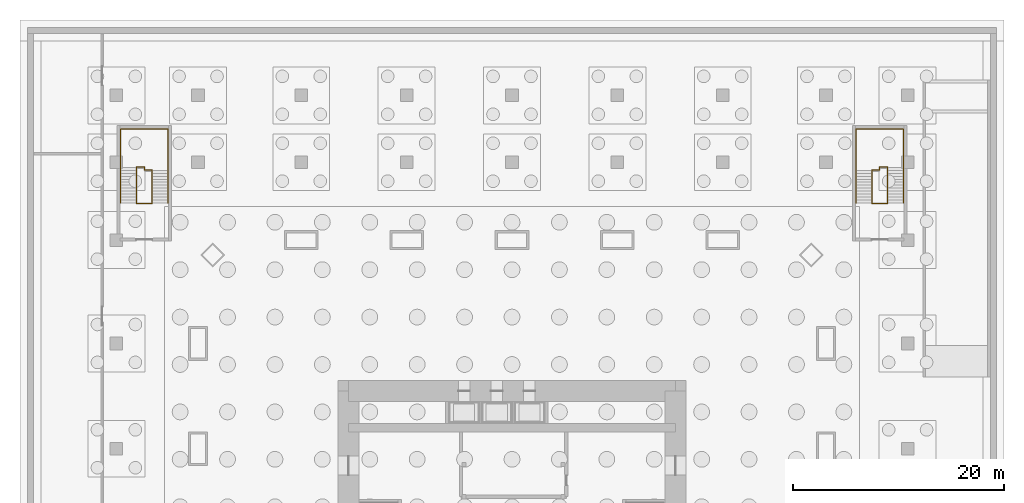
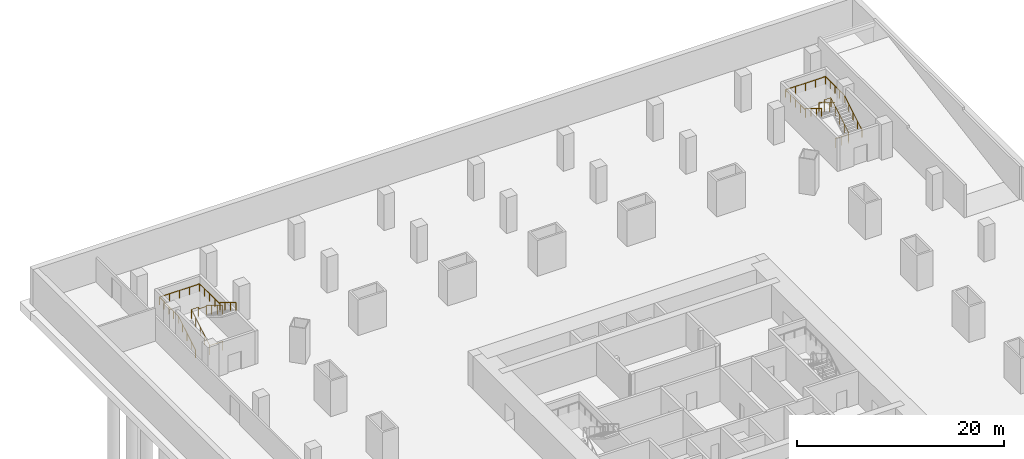
# One storey, part 10 of 11: 4 railings.
"""IFC4 building model written with IfcOpenShell, lengths in metres."""

from ifc_helpers import new_model, si_unit, direction, frame, origin, origin_2d, place, context, subcontext, project, spatial, circle, extrude, material, type_object, element, save


model = new_model("IFC4")

# Units and contexts
model_context = context("Model", 3, precision=1e-05, world=origin(), true_north=direction((0.0, 1.0)))
body_context = subcontext(model_context, "Body", "Model", "MODEL_VIEW")
ifc_project = project(units=[si_unit("LENGTHUNIT", "METRE"), si_unit("AREAUNIT", "SQUARE_METRE"), si_unit("VOLUMEUNIT", "CUBIC_METRE"), si_unit("PLANEANGLEUNIT", "RADIAN"), si_unit("MASSUNIT", "GRAM", prefix="KILO")], contexts=[model_context])

# Site, building, storey
site_placement = place(None, origin())
site = spatial("IfcSite", under=ifc_project, at=site_placement, CompositionType="ELEMENT")
building_placement = place(site_placement, origin())
building = spatial("IfcBuilding", under=site, at=building_placement, Name="Khuree Lantern Residences", CompositionType="ELEMENT")
storey_placement = place(building_placement, frame((0.0, 0.0, -13.199951171875)))
storey = spatial("IfcBuildingStorey", under=building, at=storey_placement, Name="B3", CompositionType="ELEMENT", Elevation=-13.199951171875)

# Railings
ifc_material = material(Name="Steel S355", Category="steel")
railing_type_1 = type_object("IfcRailingType", Name="STAIR GUARD G1 1100", PredefinedType="GUARDRAIL", material=ifc_material)
railing_1_placement = place(storey_placement, frame((-34.14990234375, 33.2900390625, 0.0)))
element("IfcRailing", 1, at=railing_1_placement, inside=storey, type_object=railing_type_1, Name="Stair ST3 guard", PredefinedType="GUARDRAIL", context=body_context, shape_type="SweptSolid", body=[
    extrude(circle(Radius=0.02392578125, at=origin_2d()), frame((0.0, 0.0, 1.076171875), z_axis=(-1.0, 0.0, 0.0), x_axis=(0.0, -1.0, 0.0)), (0.0, 0.0, 1.0), 1.5),
    extrude(circle(Radius=0.02392578125, at=origin_2d()), frame((-1.5, 0.0, 1.076171875), z_axis=(0.0, 0.285558252241, 0.958361353862), x_axis=(-1.0, 0.0, 0.0)), (0.0, 0.0, 1.0), 0.17529296875),
    extrude(circle(Radius=0.02392578125, at=origin_2d()), frame((-1.5, 0.050048828125, 1.244140625), z_axis=(0.0, 0.857498423529, 0.514486592289), x_axis=(-1.0, 0.0, 0.0)), (0.0, 0.0, 1.0), 3.918212890625),
    extrude(circle(Radius=0.02392578125, at=origin_2d()), frame((-1.5, 3.409912109375, 3.259765625), z_axis=(0.0, 1.0, 0.0), x_axis=(-1.0, 0.0, 0.0)), (0.0, 0.0, 1.0), 0.050048828125),
    extrude(circle(Radius=0.02392578125, at=origin_2d()), frame((-1.5, 3.4599609375, 3.259765625), z_axis=(1.0, 0.0, 0.0), x_axis=(0.0, 1.0, 0.0)), (0.0, 0.0, 1.0), 0.75),
    extrude(circle(Radius=0.02392578125, at=origin_2d()), frame((-0.75, 3.4599609375, 3.259765625), z_axis=(0.0, -1.0, 0.0), x_axis=(1.0, 0.0, 0.0)), (0.0, 0.0, 1.0), 0.280029296875),
    extrude(circle(Radius=0.02392578125, at=origin_2d()), frame((-0.75, 3.179931640625, 3.259765625), z_axis=(1.0, 0.0, 0.0), x_axis=(0.0, 1.0, 0.0)), (0.0, 0.0, 1.0), 0.75),
    extrude(circle(Radius=0.02392578125, at=origin_2d()), frame((0.0, 3.179931640625, 3.259765625), z_axis=(0.0, -0.285177527458, 0.958474714238), x_axis=(1.0, 0.0, 0.0)), (0.0, 0.0, 1.0), 0.175537109375),
    extrude(circle(Radius=0.02392578125, at=origin_2d()), frame((0.0, 3.1298828125, 3.42822265625), z_axis=(0.0, -0.857492925713, 0.514495755428), x_axis=(1.0, 0.0, 0.0)), (0.0, 0.0, 1.0), 3.591552734375),
    extrude(circle(Radius=0.02099609375, at=origin_2d()), origin(), (0.0, 0.0, 1.0), 1.052001953125),
    extrude(circle(Radius=0.02099609375, at=origin_2d()), frame((-0.75, 0.0, 0.0)), (0.0, 0.0, 1.0), 1.052001953125),
    extrude(circle(Radius=0.02099609375, at=origin_2d()), frame((-1.5, 0.0, 0.0)), (0.0, 0.0, 1.0), 1.052001953125),
    extrude(circle(Radius=0.02099609375, at=origin_2d()), frame((-1.5, 0.050048828125, 0.16796875)), (0.0, 0.0, 1.0), 1.052001953125),
    extrude(circle(Radius=0.02099609375, at=origin_2d()), frame((-1.5, 0.89013671875, 0.671875)), (0.0, 0.0, 1.0), 1.052001953125),
    extrude(circle(Radius=0.02099609375, at=origin_2d()), frame((-1.5, 1.72998046875, 1.17578125)), (0.0, 0.0, 1.0), 1.052001953125),
    extrude(circle(Radius=0.02099609375, at=origin_2d()), frame((-1.5, 2.56982421875, 1.679931640625)), (0.0, 0.0, 1.0), 1.052001953125),
    extrude(circle(Radius=0.02099609375, at=origin_2d()), frame((-1.5, 3.409912109375, 2.183837890625)), (0.0, 0.0, 1.0), 1.052001953125),
    extrude(circle(Radius=0.02099609375, at=origin_2d()), frame((-1.5, 3.4599609375, 2.183837890625)), (0.0, 0.0, 1.0), 1.052001953125),
    extrude(circle(Radius=0.02099609375, at=origin_2d()), frame((-0.75, 3.4599609375, 2.183837890625)), (0.0, 0.0, 1.0), 1.052001953125),
    extrude(circle(Radius=0.02099609375, at=origin_2d()), frame((-0.75, 3.179931640625, 2.183837890625)), (0.0, 0.0, 1.0), 1.052001953125),
    extrude(circle(Radius=0.02099609375, at=origin_2d()), frame((0.0, 3.179931640625, 2.183837890625)), (0.0, 0.0, 1.0), 1.052001953125),
    extrude(circle(Radius=0.02099609375, at=origin_2d()), frame((0.0, 3.1298828125, 2.35205078125)), (0.0, 0.0, 1.0), 1.052001953125),
    extrude(circle(Radius=0.02099609375, at=origin_2d()), frame((0.0, 2.103271484375, 2.968017578125)), (0.0, 0.0, 1.0), 1.052001953125),
    extrude(circle(Radius=0.02099609375, at=origin_2d()), frame((0.0, 1.07666015625, 3.583984375)), (0.0, 0.0, 1.0), 1.052001953125),
    extrude(circle(Radius=0.02099609375, at=origin_2d()), frame((0.0, 0.050048828125, 4.199951171875)), (0.0, 0.0, 1.0), 1.052001953125),
])
railing_2_placement = place(storey_placement, frame((34.14990234375, 33.2900390625, 0.0)))
element("IfcRailing", 2, at=railing_2_placement, inside=storey, type_object=railing_type_1, Name="Stair ST4 guard", PredefinedType="GUARDRAIL", context=body_context, shape_type="SweptSolid", body=[
    extrude(circle(Radius=0.02392578125, at=origin_2d()), frame((0.0, 0.0, 1.076171875), z_axis=(1.0, 0.0, 0.0), x_axis=(0.0, 1.0, 0.0)), (0.0, 0.0, 1.0), 1.5),
    extrude(circle(Radius=0.02392578125, at=origin_2d()), frame((1.5, 0.0, 1.076171875), z_axis=(0.0, 0.285558252241, 0.958361353862), x_axis=(-1.0, 0.0, 0.0)), (0.0, 0.0, 1.0), 0.17529296875),
    extrude(circle(Radius=0.02392578125, at=origin_2d()), frame((1.5, 0.050048828125, 1.244140625), z_axis=(0.0, 0.857498423529, 0.514486592289), x_axis=(-1.0, 0.0, 0.0)), (0.0, 0.0, 1.0), 3.918212890625),
    extrude(circle(Radius=0.02392578125, at=origin_2d()), frame((1.5, 3.409912109375, 3.259765625), z_axis=(0.0, 1.0, 0.0), x_axis=(-1.0, 0.0, 0.0)), (0.0, 0.0, 1.0), 0.050048828125),
    extrude(circle(Radius=0.02392578125, at=origin_2d()), frame((1.5, 3.4599609375, 3.259765625), z_axis=(-1.0, 0.0, 0.0), x_axis=(0.0, -1.0, 0.0)), (0.0, 0.0, 1.0), 0.75),
    extrude(circle(Radius=0.02392578125, at=origin_2d()), frame((0.75, 3.4599609375, 3.259765625), z_axis=(0.0, -1.0, 0.0), x_axis=(1.0, 0.0, 0.0)), (0.0, 0.0, 1.0), 0.280029296875),
    extrude(circle(Radius=0.02392578125, at=origin_2d()), frame((0.75, 3.179931640625, 3.259765625), z_axis=(-1.0, 0.0, 0.0), x_axis=(0.0, -1.0, 0.0)), (0.0, 0.0, 1.0), 0.75),
    extrude(circle(Radius=0.02392578125, at=origin_2d()), frame((0.0, 3.179931640625, 3.259765625), z_axis=(0.0, -0.285177527458, 0.958474714238), x_axis=(1.0, 0.0, 0.0)), (0.0, 0.0, 1.0), 0.175537109375),
    extrude(circle(Radius=0.02392578125, at=origin_2d()), frame((0.0, 3.1298828125, 3.42822265625), z_axis=(0.0, -0.857492925713, 0.514495755428), x_axis=(1.0, 0.0, 0.0)), (0.0, 0.0, 1.0), 3.591552734375),
    extrude(circle(Radius=0.02099609375, at=origin_2d()), origin(), (0.0, 0.0, 1.0), 1.052001953125),
    extrude(circle(Radius=0.02099609375, at=origin_2d()), frame((0.75, 0.0, 0.0)), (0.0, 0.0, 1.0), 1.052001953125),
    extrude(circle(Radius=0.02099609375, at=origin_2d()), frame((1.5, 0.0, 0.0)), (0.0, 0.0, 1.0), 1.052001953125),
    extrude(circle(Radius=0.02099609375, at=origin_2d()), frame((1.5, 0.050048828125, 0.16796875)), (0.0, 0.0, 1.0), 1.052001953125),
    extrude(circle(Radius=0.02099609375, at=origin_2d()), frame((1.5, 0.89013671875, 0.671875)), (0.0, 0.0, 1.0), 1.052001953125),
    extrude(circle(Radius=0.02099609375, at=origin_2d()), frame((1.5, 1.72998046875, 1.17578125)), (0.0, 0.0, 1.0), 1.052001953125),
    extrude(circle(Radius=0.02099609375, at=origin_2d()), frame((1.5, 2.56982421875, 1.679931640625)), (0.0, 0.0, 1.0), 1.052001953125),
    extrude(circle(Radius=0.02099609375, at=origin_2d()), frame((1.5, 3.409912109375, 2.183837890625)), (0.0, 0.0, 1.0), 1.052001953125),
    extrude(circle(Radius=0.02099609375, at=origin_2d()), frame((1.5, 3.4599609375, 2.183837890625)), (0.0, 0.0, 1.0), 1.052001953125),
    extrude(circle(Radius=0.02099609375, at=origin_2d()), frame((0.75, 3.4599609375, 2.183837890625)), (0.0, 0.0, 1.0), 1.052001953125),
    extrude(circle(Radius=0.02099609375, at=origin_2d()), frame((0.75, 3.179931640625, 2.183837890625)), (0.0, 0.0, 1.0), 1.052001953125),
    extrude(circle(Radius=0.02099609375, at=origin_2d()), frame((0.0, 3.179931640625, 2.183837890625)), (0.0, 0.0, 1.0), 1.052001953125),
    extrude(circle(Radius=0.02099609375, at=origin_2d()), frame((0.0, 3.1298828125, 2.35205078125)), (0.0, 0.0, 1.0), 1.052001953125),
    extrude(circle(Radius=0.02099609375, at=origin_2d()), frame((0.0, 2.103271484375, 2.968017578125)), (0.0, 0.0, 1.0), 1.052001953125),
    extrude(circle(Radius=0.02099609375, at=origin_2d()), frame((0.0, 1.07666015625, 3.583984375)), (0.0, 0.0, 1.0), 1.052001953125),
    extrude(circle(Radius=0.02099609375, at=origin_2d()), frame((0.0, 0.050048828125, 4.199951171875)), (0.0, 0.0, 1.0), 1.052001953125),
])
railing_type_2 = type_object("IfcRailingType", Name="STAIR HANDRAIL H1 900", PredefinedType="HANDRAIL", material=ifc_material)
railing_3_placement = place(storey_placement, frame((-37.139892578125, 33.340087890625, 0.16796875)))
element("IfcRailing", 3, at=railing_3_placement, inside=storey, type_object=railing_type_2, Name="Stair ST3 handrail", PredefinedType="HANDRAIL", context=body_context, shape_type="SweptSolid", body=[
    extrude(circle(Radius=0.02392578125, at=origin_2d()), frame((0.0, 0.0, 0.8759765625), z_axis=(0.0, 0.857498423529, 0.514486592289), x_axis=(-1.0, 0.0, 0.0)), (0.0, 0.0, 1.0), 3.918212890625),
    extrude(circle(Radius=0.02392578125, at=origin_2d()), frame((0.0, 3.35986328125, 2.8916015625), z_axis=(0.0, 1.0, 0.0), x_axis=(-1.0, 0.0, 0.0)), (0.0, 0.0, 1.0), 3.64013671875),
    extrude(circle(Radius=0.02392578125, at=origin_2d()), frame((0.0, 7.0, 2.8916015625), z_axis=(1.0, 0.0, 0.0), x_axis=(0.0, 1.0, 0.0)), (0.0, 0.0, 1.0), 4.47998046875),
    extrude(circle(Radius=0.02392578125, at=origin_2d()), frame((4.47998046875, 7.0, 2.8916015625), z_axis=(0.0, -1.0, 0.0), x_axis=(1.0, 0.0, 0.0)), (0.0, 0.0, 1.0), 3.920166015625),
    extrude(circle(Radius=0.02392578125, at=origin_2d()), frame((4.47998046875, 3.079833984375, 2.8916015625), z_axis=(0.0, 0.0, 1.0), x_axis=(1.0, 0.0, 0.0)), (0.0, 0.0, 1.0), 0.168212890625),
    extrude(circle(Radius=0.02392578125, at=origin_2d()), frame((4.47998046875, 3.079833984375, 3.06005859375), z_axis=(0.0, -0.857492925713, 0.514495755428), x_axis=(1.0, 0.0, 0.0)), (0.0, 0.0, 1.0), 3.591552734375),
    extrude(circle(Radius=0.02099609375, at=origin_2d()), origin(), (0.0, 0.0, 1.0), 0.851806640625),
    extrude(circle(Radius=0.02099609375, at=origin_2d()), frame((0.0, 0.83984375, 0.50390625)), (0.0, 0.0, 1.0), 0.851806640625),
    extrude(circle(Radius=0.02099609375, at=origin_2d()), frame((0.0, 1.679931640625, 1.0078125)), (0.0, 0.0, 1.0), 0.851806640625),
    extrude(circle(Radius=0.02099609375, at=origin_2d()), frame((0.0, 2.52001953125, 1.511962890625)), (0.0, 0.0, 1.0), 0.851806640625),
    extrude(circle(Radius=0.02099609375, at=origin_2d()), frame((0.0, 3.35986328125, 2.015869140625)), (0.0, 0.0, 1.0), 0.851806640625),
    extrude(circle(Radius=0.02099609375, at=origin_2d()), frame((0.0, 4.27001953125, 2.015869140625)), (0.0, 0.0, 1.0), 0.851806640625),
    extrude(circle(Radius=0.02099609375, at=origin_2d()), frame((0.0, 5.179931640625, 2.015869140625)), (0.0, 0.0, 1.0), 0.851806640625),
    extrude(circle(Radius=0.02099609375, at=origin_2d()), frame((0.0, 6.08984375, 2.015869140625)), (0.0, 0.0, 1.0), 0.851806640625),
    extrude(circle(Radius=0.02099609375, at=origin_2d()), frame((0.0, 7.0, 2.015869140625)), (0.0, 0.0, 1.0), 0.851806640625),
    extrude(circle(Radius=0.02099609375, at=origin_2d()), frame((1.1201171875, 7.0, 2.015869140625)), (0.0, 0.0, 1.0), 0.851806640625),
    extrude(circle(Radius=0.02099609375, at=origin_2d()), frame((2.239990234375, 7.0, 2.015869140625)), (0.0, 0.0, 1.0), 0.851806640625),
    extrude(circle(Radius=0.02099609375, at=origin_2d()), frame((3.35986328125, 7.0, 2.015869140625)), (0.0, 0.0, 1.0), 0.851806640625),
    extrude(circle(Radius=0.02099609375, at=origin_2d()), frame((4.47998046875, 7.0, 2.015869140625)), (0.0, 0.0, 1.0), 0.851806640625),
    extrude(circle(Radius=0.02099609375, at=origin_2d()), frame((4.47998046875, 6.02001953125, 2.015869140625)), (0.0, 0.0, 1.0), 0.851806640625),
    extrude(circle(Radius=0.02099609375, at=origin_2d()), frame((4.47998046875, 5.0400390625, 2.015869140625)), (0.0, 0.0, 1.0), 0.851806640625),
    extrude(circle(Radius=0.02099609375, at=origin_2d()), frame((4.47998046875, 4.059814453125, 2.015869140625)), (0.0, 0.0, 1.0), 0.851806640625),
    extrude(circle(Radius=0.02099609375, at=origin_2d()), frame((4.47998046875, 3.079833984375, 2.015869140625)), (0.0, 0.0, 1.0), 0.851806640625),
    extrude(circle(Radius=0.02099609375, at=origin_2d()), frame((4.47998046875, 3.079833984375, 2.18408203125)), (0.0, 0.0, 1.0), 0.851806640625),
    extrude(circle(Radius=0.02099609375, at=origin_2d()), frame((4.47998046875, 2.05322265625, 2.800048828125)), (0.0, 0.0, 1.0), 0.851806640625),
    extrude(circle(Radius=0.02099609375, at=origin_2d()), frame((4.47998046875, 1.026611328125, 3.416015625)), (0.0, 0.0, 1.0), 0.851806640625),
    extrude(circle(Radius=0.02099609375, at=origin_2d()), frame((4.47998046875, 0.0, 4.031982421875)), (0.0, 0.0, 1.0), 0.851806640625),
])
railing_4_placement = place(storey_placement, frame((37.139892578125, 33.340087890625, 0.16796875)))
element("IfcRailing", 4, at=railing_4_placement, inside=storey, type_object=railing_type_2, Name="Stair ST4 handrail", PredefinedType="HANDRAIL", context=body_context, shape_type="SweptSolid", body=[
    extrude(circle(Radius=0.02392578125, at=origin_2d()), frame((0.0, 0.0, 0.8759765625), z_axis=(0.0, 0.857498423529, 0.514486592289), x_axis=(-1.0, 0.0, 0.0)), (0.0, 0.0, 1.0), 3.918212890625),
    extrude(circle(Radius=0.02392578125, at=origin_2d()), frame((0.0, 3.35986328125, 2.8916015625), z_axis=(0.0, 1.0, 0.0), x_axis=(-1.0, 0.0, 0.0)), (0.0, 0.0, 1.0), 3.64013671875),
    extrude(circle(Radius=0.02392578125, at=origin_2d()), frame((0.0, 7.0, 2.8916015625), z_axis=(-1.0, 0.0, 0.0), x_axis=(0.0, -1.0, 0.0)), (0.0, 0.0, 1.0), 4.47998046875),
    extrude(circle(Radius=0.02392578125, at=origin_2d()), frame((-4.47998046875, 7.0, 2.8916015625), z_axis=(0.0, -1.0, 0.0), x_axis=(1.0, 0.0, 0.0)), (0.0, 0.0, 1.0), 3.920166015625),
    extrude(circle(Radius=0.02392578125, at=origin_2d()), frame((-4.47998046875, 3.079833984375, 2.8916015625), z_axis=(0.0, 0.0, 1.0), x_axis=(1.0, 0.0, 0.0)), (0.0, 0.0, 1.0), 0.168212890625),
    extrude(circle(Radius=0.02392578125, at=origin_2d()), frame((-4.47998046875, 3.079833984375, 3.06005859375), z_axis=(0.0, -0.857492925713, 0.514495755428), x_axis=(1.0, 0.0, 0.0)), (0.0, 0.0, 1.0), 3.591552734375),
    extrude(circle(Radius=0.02099609375, at=origin_2d()), origin(), (0.0, 0.0, 1.0), 0.851806640625),
    extrude(circle(Radius=0.02099609375, at=origin_2d()), frame((0.0, 0.83984375, 0.50390625)), (0.0, 0.0, 1.0), 0.851806640625),
    extrude(circle(Radius=0.02099609375, at=origin_2d()), frame((0.0, 1.679931640625, 1.0078125)), (0.0, 0.0, 1.0), 0.851806640625),
    extrude(circle(Radius=0.02099609375, at=origin_2d()), frame((0.0, 2.52001953125, 1.511962890625)), (0.0, 0.0, 1.0), 0.851806640625),
    extrude(circle(Radius=0.02099609375, at=origin_2d()), frame((0.0, 3.35986328125, 2.015869140625)), (0.0, 0.0, 1.0), 0.851806640625),
    extrude(circle(Radius=0.02099609375, at=origin_2d()), frame((0.0, 4.27001953125, 2.015869140625)), (0.0, 0.0, 1.0), 0.851806640625),
    extrude(circle(Radius=0.02099609375, at=origin_2d()), frame((0.0, 5.179931640625, 2.015869140625)), (0.0, 0.0, 1.0), 0.851806640625),
    extrude(circle(Radius=0.02099609375, at=origin_2d()), frame((0.0, 6.08984375, 2.015869140625)), (0.0, 0.0, 1.0), 0.851806640625),
    extrude(circle(Radius=0.02099609375, at=origin_2d()), frame((0.0, 7.0, 2.015869140625)), (0.0, 0.0, 1.0), 0.851806640625),
    extrude(circle(Radius=0.02099609375, at=origin_2d()), frame((-1.1201171875, 7.0, 2.015869140625)), (0.0, 0.0, 1.0), 0.851806640625),
    extrude(circle(Radius=0.02099609375, at=origin_2d()), frame((-2.239990234375, 7.0, 2.015869140625)), (0.0, 0.0, 1.0), 0.851806640625),
    extrude(circle(Radius=0.02099609375, at=origin_2d()), frame((-3.35986328125, 7.0, 2.015869140625)), (0.0, 0.0, 1.0), 0.851806640625),
    extrude(circle(Radius=0.02099609375, at=origin_2d()), frame((-4.47998046875, 7.0, 2.015869140625)), (0.0, 0.0, 1.0), 0.851806640625),
    extrude(circle(Radius=0.02099609375, at=origin_2d()), frame((-4.47998046875, 6.02001953125, 2.015869140625)), (0.0, 0.0, 1.0), 0.851806640625),
    extrude(circle(Radius=0.02099609375, at=origin_2d()), frame((-4.47998046875, 5.0400390625, 2.015869140625)), (0.0, 0.0, 1.0), 0.851806640625),
    extrude(circle(Radius=0.02099609375, at=origin_2d()), frame((-4.47998046875, 4.059814453125, 2.015869140625)), (0.0, 0.0, 1.0), 0.851806640625),
    extrude(circle(Radius=0.02099609375, at=origin_2d()), frame((-4.47998046875, 3.079833984375, 2.015869140625)), (0.0, 0.0, 1.0), 0.851806640625),
    extrude(circle(Radius=0.02099609375, at=origin_2d()), frame((-4.47998046875, 3.079833984375, 2.18408203125)), (0.0, 0.0, 1.0), 0.851806640625),
    extrude(circle(Radius=0.02099609375, at=origin_2d()), frame((-4.47998046875, 2.05322265625, 2.800048828125)), (0.0, 0.0, 1.0), 0.851806640625),
    extrude(circle(Radius=0.02099609375, at=origin_2d()), frame((-4.47998046875, 1.026611328125, 3.416015625)), (0.0, 0.0, 1.0), 0.851806640625),
    extrude(circle(Radius=0.02099609375, at=origin_2d()), frame((-4.47998046875, 0.0, 4.031982421875)), (0.0, 0.0, 1.0), 0.851806640625),
])

save(model, "model.ifc")
